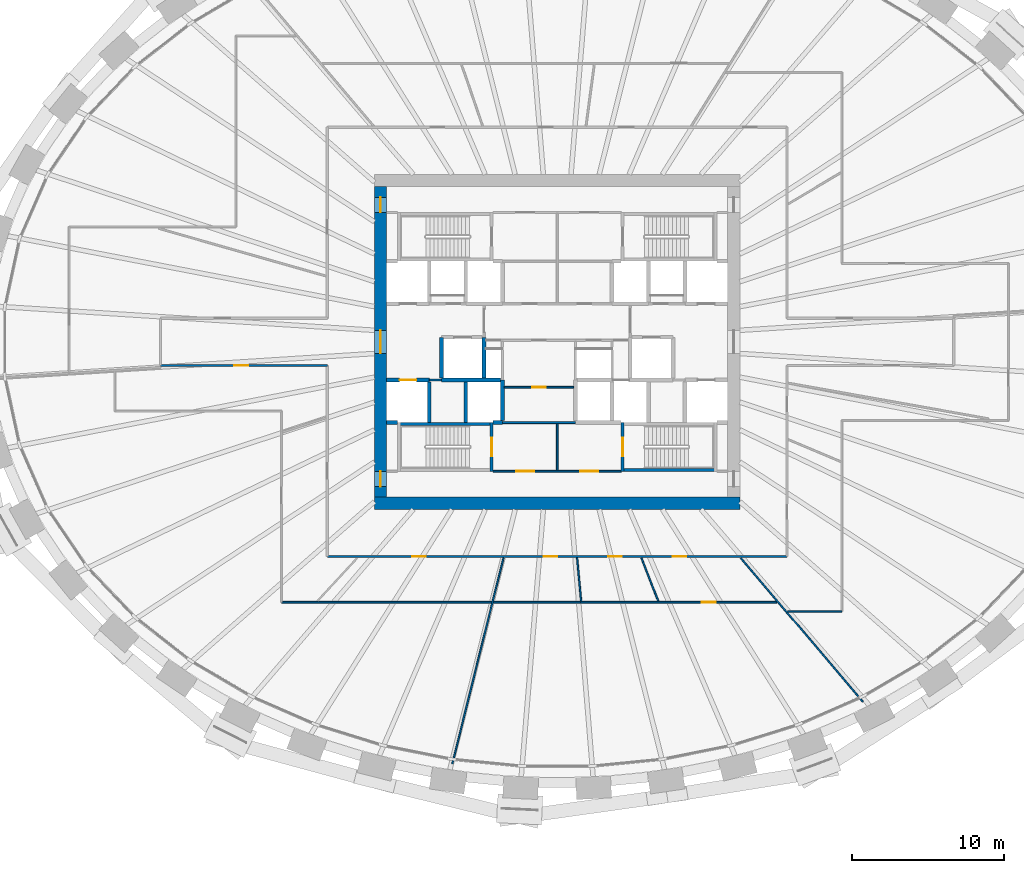
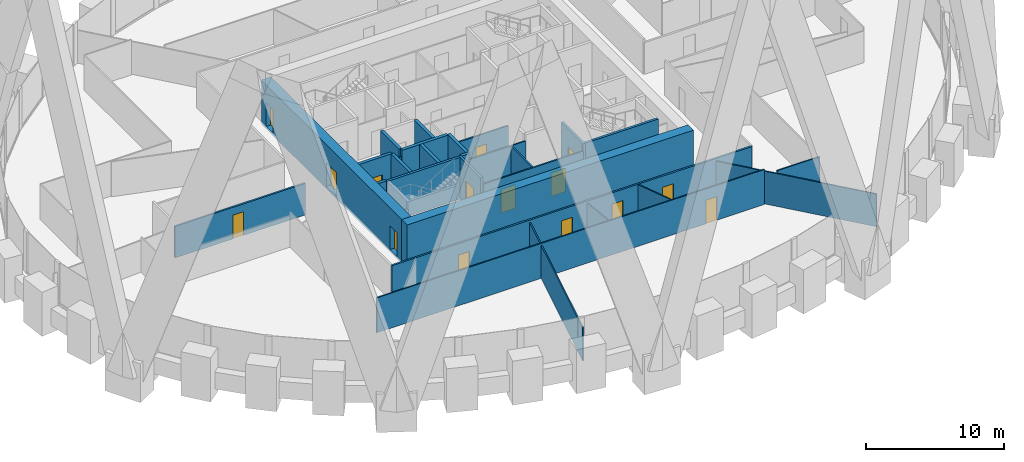
# One storey, part 7 of 12: 28 walls, 15 doors, 15 openings.
"""IFC4 building model written with IfcOpenShell, lengths in metres."""

from ifc_helpers import new_model, si_unit, direction, frame, frame_2d, origin, place, context, subcontext, project, spatial, rectangle, extrude, source, transform, mapped, material, layer, layer_set, type_object, element, fill, save


model = new_model("IFC4")

# Units and contexts
model_context = context("Model", 3, precision=1e-05, world=origin(), true_north=direction((0.0, 1.0)))
body_context = subcontext(model_context, "Body", "Model", "MODEL_VIEW")
ifc_project = project(units=[si_unit("LENGTHUNIT", "METRE"), si_unit("AREAUNIT", "SQUARE_METRE"), si_unit("VOLUMEUNIT", "CUBIC_METRE"), si_unit("PLANEANGLEUNIT", "RADIAN"), si_unit("MASSUNIT", "GRAM", prefix="KILO")], contexts=[model_context])

# Site, building, storey
site_placement = place(None, origin())
site = spatial("IfcSite", under=ifc_project, at=site_placement, CompositionType="ELEMENT")
building_placement = place(site_placement, origin())
building = spatial("IfcBuilding", under=site, at=building_placement, Name="Embergate Tower", CompositionType="ELEMENT")
storey_placement = place(building_placement, frame((0.0, 0.0, 159.89990234375)))
storey = spatial("IfcBuildingStorey", under=building, at=storey_placement, Name="L35", CompositionType="ELEMENT", Elevation=159.89990234375)

# Wall
ifc_material_1 = material(Name="Concrete C70", Category="concrete")
ifc_layer_1 = layer(ifc_material_1, 0.800048828125)
ifc_layer_set_1 = layer_set([ifc_layer_1], Name="Concrete C70")
wall_type_1 = type_object("IfcWallType", Name="Core outer wall C70 800", PredefinedType="SHEAR", material=ifc_layer_set_1)
shared_shape_1 = source(origin(), body_context, "Body", "SweptSolid", [
    extrude(rectangle(XDim=24.0, YDim=0.800048828125, at=frame_2d((12.0, 0.0))), origin(), (0.0, 0.0, 1.0), 3.900146484375),
])
wall_1_placement = place(storey_placement, frame((-12.0, -10.60009765625, -0.199951171875), z_axis=(0.0, 0.0, 1.0), x_axis=(1.0, 0.0, 0.0)))
element("IfcWall", 1, at=wall_1_placement, inside=storey, type_object=wall_type_1, Name="CW-L35-S", PredefinedType="SHEAR", context=body_context, shape_type="MappedRepresentation", body=[
    mapped(shared_shape_1, transform((0.0, 0.0, 0.0))),
])

# Wall, openings, doors
shared_shape_2 = source(origin(), body_context, "Body", "SweptSolid", [
    extrude(rectangle(XDim=20.39990234375, YDim=0.800048828125, at=frame_2d((10.199951171875, 0.0))), origin(), (0.0, 0.0, 1.0), 3.900146484375),
])
wall_2_placement = place(storey_placement, frame((-11.60009765625, -10.199951171875, -0.199951171875), z_axis=(0.0, 0.0, 1.0), x_axis=(0.0, 1.0, 0.0)))
wall_2 = element("IfcWall", 2, at=wall_2_placement, inside=storey, type_object=wall_type_1, Name="CW-L35-W", PredefinedType="SHEAR", context=body_context, shape_type="MappedRepresentation", body=[
    mapped(shared_shape_2, transform((0.0, 0.0, 0.0))),
])
shared_shape_3 = source(origin(), body_context, "Body", "SweptSolid", [
    extrude(rectangle(XDim=1.0, YDim=2.10009765625, at=frame_2d((0.5, 1.050048828125))), frame((0.0, 0.409912109375, 0.0), z_axis=(0.0, -1.0, 0.0), x_axis=(1.0, 0.0, 0.0)), (0.0, 0.0, 1.0), 0.820068359375),
])
opening_1_placement = place(wall_2_placement, frame((18.699951171875, 0.0, 0.199951171875)))
opening_1 = element("IfcOpeningElement", 3, at=opening_1_placement, cuts=wall_2, Name="Opening IF-1d", PredefinedType="OPENING", context=body_context, shape_type="MappedRepresentation", body=[
    mapped(shared_shape_3, transform((0.0, 0.0, 0.0))),
])
opening_2_placement = place(wall_2_placement, frame((0.699951171875, 0.0, 0.199951171875)))
opening_2 = element("IfcOpeningElement", 4, at=opening_2_placement, cuts=wall_2, Name="Opening IF-1d", PredefinedType="OPENING", context=body_context, shape_type="MappedRepresentation", body=[
    mapped(shared_shape_3, transform((0.0, 0.0, 0.0))),
])
shared_shape_4 = source(origin(), body_context, "Body", "SweptSolid", [
    extrude(rectangle(XDim=1.5, YDim=2.10009765625, at=frame_2d((0.75, 1.050048828125))), frame((0.0, 0.409912109375, 0.0), z_axis=(0.0, -1.0, 0.0), x_axis=(1.0, 0.0, 0.0)), (0.0, 0.0, 1.0), 0.820068359375),
])
opening_3_placement = place(wall_2_placement, frame((9.449951171875, 0.0, 0.199951171875)))
opening_3 = element("IfcOpeningElement", 5, at=opening_3_placement, cuts=wall_2, Name="Opening IF-3", PredefinedType="OPENING", context=body_context, shape_type="MappedRepresentation", body=[
    mapped(shared_shape_4, transform((0.0, 0.0, 0.0))),
])
ifc_material_2 = material(Name="Lobby fire door pair 1500")
door_type_1 = type_object("IfcDoorType", Name="Lobby fire door pair 1500", OperationType="DOUBLE_DOOR_SINGLE_SWING", PredefinedType="DOOR", material=ifc_material_2)
shared_shape_5 = source(origin(), body_context, "Body", "SweptSolid", [
    extrude(rectangle(XDim=1.5, YDim=2.10009765625, at=frame_2d((0.75, 1.050048828125))), frame((0.0, 0.02490234375, 0.0), z_axis=(0.0, -1.0, 0.0), x_axis=(1.0, 0.0, 0.0)), (0.0, 0.0, 1.0), 0.050048828125),
])
door_1_placement = place(opening_3_placement, origin())
door_1 = element("IfcDoor", 6, at=door_1_placement, inside=storey, type_object=door_type_1, Name="IF-3 door", OperationType="DOUBLE_DOOR_SINGLE_SWING", OverallHeight=2.10009765625, OverallWidth=1.5, PredefinedType="DOOR", context=body_context, shape_type="MappedRepresentation", body=[
    mapped(shared_shape_5, transform((0.0, 0.0, 0.0))),
])
fill(opening_3, door_1)
ifc_material_3 = material(Name="Escape fire door 1000")
door_type_2 = type_object("IfcDoorType", Name="Escape fire door 1000", OperationType="SINGLE_SWING_LEFT", PredefinedType="DOOR", material=ifc_material_3)
shared_shape_6 = source(origin(), body_context, "Body", "SweptSolid", [
    extrude(rectangle(XDim=1.0, YDim=2.10009765625, at=frame_2d((0.5, 1.050048828125))), frame((0.0, 0.02490234375, 0.0), z_axis=(0.0, -1.0, 0.0), x_axis=(1.0, 0.0, 0.0)), (0.0, 0.0, 1.0), 0.050048828125),
])
door_2_placement = place(opening_1_placement, origin())
door_2 = element("IfcDoor", 7, at=door_2_placement, inside=storey, type_object=door_type_2, Name="IF-1 door", OperationType="SINGLE_SWING_LEFT", OverallHeight=2.10009765625, OverallWidth=1.0, PredefinedType="DOOR", context=body_context, shape_type="MappedRepresentation", body=[
    mapped(shared_shape_6, transform((0.0, 0.0, 0.0))),
])
fill(opening_1, door_2)
door_3_placement = place(opening_2_placement, origin())
door_3 = element("IfcDoor", 8, at=door_3_placement, inside=storey, type_object=door_type_2, Name="IF-1 door", OperationType="SINGLE_SWING_LEFT", OverallHeight=2.10009765625, OverallWidth=1.0, PredefinedType="DOOR", context=body_context, shape_type="MappedRepresentation", body=[
    mapped(shared_shape_6, transform((0.0, 0.0, 0.0))),
])
fill(opening_2, door_3)

ifc_material_4 = material(Name="Core partition blockwork 120")
ifc_layer_2 = layer(ifc_material_4, 0.1201171875)
ifc_layer_set_2 = layer_set([ifc_layer_2], Name="Core partition blockwork 120")
wall_type_2 = type_object("IfcWallType", Name="Core partition blockwork 120", PredefinedType="PARTITIONING", material=ifc_layer_set_2)
shared_shape_7 = source(origin(), body_context, "Body", "SweptSolid", [
    extrude(rectangle(XDim=8.39990234375, YDim=0.1201171875, at=frame_2d((4.199951171875, 0.0))), origin(), (0.0, 0.0, 1.0), 3.10009765625),
])
wall_3_placement = place(storey_placement, frame((-4.199951171875, -8.5, 0.0), z_axis=(0.0, 0.0, 1.0), x_axis=(1.0, 0.0, 0.0)))
wall_3 = element("IfcWall", 9, at=wall_3_placement, inside=storey, type_object=wall_type_2, Name="IP-3 wall", PredefinedType="PARTITIONING", context=body_context, shape_type="MappedRepresentation", body=[
    mapped(shared_shape_7, transform((0.0, 0.0, 0.0))),
])
shared_shape_8 = source(origin(), body_context, "Body", "SweptSolid", [
    extrude(rectangle(XDim=1.199951171875, YDim=2.10009765625, at=frame_2d((0.60009765625, 1.050048828125))), frame((0.0, 0.070068359375, 0.0), z_axis=(0.0, -1.0, 0.0), x_axis=(1.0, 0.0, 0.0)), (0.0, 0.0, 1.0), 0.14013671875),
])
opening_4_placement = place(wall_3_placement, frame((1.5, 0.0, 0.0)))
opening_4 = element("IfcOpeningElement", 10, at=opening_4_placement, cuts=wall_3, Name="Opening IF-3f", PredefinedType="OPENING", context=body_context, shape_type="MappedRepresentation", body=[
    mapped(shared_shape_8, transform((0.0, 0.0, 0.0))),
])
opening_5_placement = place(wall_3_placement, frame((5.699951171875, 0.0, 0.0)))
opening_5 = element("IfcOpeningElement", 11, at=opening_5_placement, cuts=wall_3, Name="Opening IF-3f", PredefinedType="OPENING", context=body_context, shape_type="MappedRepresentation", body=[
    mapped(shared_shape_8, transform((0.0, 0.0, 0.0))),
])
ifc_material_5 = material(Name="Lobby fire door pair 1200")
door_type_3 = type_object("IfcDoorType", Name="Lobby fire door pair 1200", OperationType="DOUBLE_DOOR_SINGLE_SWING", PredefinedType="DOOR", material=ifc_material_5)
shared_shape_9 = source(origin(), body_context, "Body", "SweptSolid", [
    extrude(rectangle(XDim=1.199951171875, YDim=2.10009765625, at=frame_2d((0.60009765625, 1.050048828125))), frame((0.0, 0.02490234375, 0.0), z_axis=(0.0, -1.0, 0.0), x_axis=(1.0, 0.0, 0.0)), (0.0, 0.0, 1.0), 0.050048828125),
])
door_4_placement = place(opening_4_placement, origin())
door_4 = element("IfcDoor", 12, at=door_4_placement, inside=storey, type_object=door_type_3, Name="IF-3 door", OperationType="DOUBLE_DOOR_SINGLE_SWING", OverallHeight=2.10009765625, OverallWidth=1.199951171875, PredefinedType="DOOR", context=body_context, shape_type="MappedRepresentation", body=[
    mapped(shared_shape_9, transform((0.0, 0.0, 0.0))),
])
fill(opening_4, door_4)
door_5_placement = place(opening_5_placement, origin())
door_5 = element("IfcDoor", 13, at=door_5_placement, inside=storey, type_object=door_type_3, Name="IF-3 door", OperationType="DOUBLE_DOOR_SINGLE_SWING", OverallHeight=2.10009765625, OverallWidth=1.199951171875, PredefinedType="DOOR", context=body_context, shape_type="MappedRepresentation", body=[
    mapped(shared_shape_9, transform((0.0, 0.0, 0.0))),
])
fill(opening_5, door_5)

# Walls
ifc_material_6 = material(Name="Concrete C50", Category="concrete")
ifc_layer_3 = layer(ifc_material_6, 0.25)
ifc_layer_set_3 = layer_set([ifc_layer_3], Name="Concrete C50")
wall_type_3 = type_object("IfcWallType", Name="Hoistway wall reinforced concrete 250", PredefinedType="SHEAR", material=ifc_layer_set_3)
shared_shape_10 = source(origin(), body_context, "Body", "SweptSolid", [
    extrude(rectangle(XDim=2.675048828125, YDim=0.25, at=frame_2d((1.33740234375, 0.0))), origin(), (0.0, 0.0, 1.0), 3.7001953125),
])
for number, where, z_axis, x_axis, name in (
    (14, (-3.60009765625, -5.175048828125, 0.0), (0.0, 0.0, 1.0), (0.0, 1.0, 0.0), "HW-1 wall"),
    (15, (-4.800048828125, 0.300048828125, 0.0), (0.0, 0.0, 1.0), (0.0, -1.0, 0.0), "HW-1 wall"),
    (16, (-7.60009765625, 0.300048828125, 0.0), (0.0, 0.0, 1.0), (0.0, -1.0, 0.0), "HW-1 wall"),
):
    element("IfcWall", number, at=place(storey_placement, frame(where, z_axis=z_axis, x_axis=x_axis)), inside=storey, type_object=wall_type_3, Name=name, PredefinedType="SHEAR", context=body_context, shape_type="MappedRepresentation", body=[
        mapped(shared_shape_10, transform((0.0, 0.0, 0.0))),
    ])
ifc_layer_4 = layer(ifc_material_6, 0.199951171875)
ifc_layer_set_4 = layer_set([ifc_layer_4], Name="Concrete C50")
wall_type_4 = type_object("IfcWallType", Name="Stair enclosure wall reinforced concrete 250", PredefinedType="SHEAR", material=ifc_layer_set_4)
shared_shape_11 = source(origin(), body_context, "Body", "SweptSolid", [
    extrude(rectangle(XDim=6.300048828125, YDim=0.199951171875, at=frame_2d((3.14990234375, 0.0))), origin(), (0.0, 0.0, 1.0), 3.7001953125),
])
for number, where, z_axis, x_axis, name in (
    (17, (-10.5, -5.39990234375, 0.0), (0.0, 0.0, 1.0), (1.0, 0.0, 0.0), "SE-1 wall"),
    (18, (4.199951171875, -8.39990234375, 0.0), (0.0, 0.0, 1.0), (1.0, 0.0, 0.0), "SE-1 wall"),
):
    element("IfcWall", number, at=place(storey_placement, frame(where, z_axis=z_axis, x_axis=x_axis)), inside=storey, type_object=wall_type_4, Name=name, PredefinedType="SHEAR", context=body_context, shape_type="MappedRepresentation", body=[
        mapped(shared_shape_11, transform((0.0, 0.0, 0.0))),
    ])

# Wall, opening, door
shared_shape_12 = source(origin(), body_context, "Body", "SweptSolid", [
    extrude(rectangle(XDim=3.199951171875, YDim=0.199951171875, at=frame_2d((1.60009765625, 0.0))), origin(), (0.0, 0.0, 1.0), 3.7001953125),
])
wall_4_placement = place(storey_placement, frame((-4.300048828125, -8.5, 0.0), z_axis=(0.0, 0.0, 1.0), x_axis=(0.0, 1.0, 0.0)))
wall_4 = element("IfcWall", 19, at=wall_4_placement, inside=storey, type_object=wall_type_4, Name="SE-1 wall", PredefinedType="SHEAR", context=body_context, shape_type="MappedRepresentation", body=[
    mapped(shared_shape_12, transform((0.0, 0.0, 0.0))),
])
shared_shape_13 = source(origin(), body_context, "Body", "SweptSolid", [
    extrude(rectangle(XDim=1.199951171875, YDim=2.10009765625, at=frame_2d((0.60009765625, 1.050048828125))), frame((0.0, 0.10986328125, 0.0), z_axis=(0.0, -1.0, 0.0), x_axis=(1.0, 0.0, 0.0)), (0.0, 0.0, 1.0), 0.219970703125),
])
opening_6_placement = place(wall_4_placement, frame((1.0, 0.0, 0.0)))
opening_6 = element("IfcOpeningElement", 20, at=opening_6_placement, cuts=wall_4, Name="Opening IF-2", PredefinedType="OPENING", context=body_context, shape_type="MappedRepresentation", body=[
    mapped(shared_shape_13, transform((0.0, 0.0, 0.0))),
])
ifc_material_7 = material(Name="Stair enclosure door 1200")
door_type_4 = type_object("IfcDoorType", Name="Stair enclosure door 1200", OperationType="SINGLE_SWING_LEFT", PredefinedType="DOOR", material=ifc_material_7)
door_6_placement = place(opening_6_placement, origin())
door_6 = element("IfcDoor", 21, at=door_6_placement, inside=storey, type_object=door_type_4, Name="IF-2 door", OperationType="SINGLE_SWING_RIGHT", OverallHeight=2.10009765625, OverallWidth=1.199951171875, PredefinedType="DOOR", context=body_context, shape_type="MappedRepresentation", body=[
    mapped(shared_shape_9, transform((0.0, 0.0, 0.0))),
])
fill(opening_6, door_6)

wall_5_placement = place(storey_placement, frame((4.300048828125, -5.300048828125, 0.0), z_axis=(0.0, 0.0, 1.0), x_axis=(0.0, -1.0, 0.0)))
wall_5 = element("IfcWall", 22, at=wall_5_placement, inside=storey, type_object=wall_type_4, Name="SE-1 wall", PredefinedType="SHEAR", context=body_context, shape_type="MappedRepresentation", body=[
    mapped(shared_shape_12, transform((0.0, 0.0, 0.0))),
])
opening_7_placement = place(wall_5_placement, frame((1.0, 0.0, 0.0)))
opening_7 = element("IfcOpeningElement", 23, at=opening_7_placement, cuts=wall_5, Name="Opening IF-2", PredefinedType="OPENING", context=body_context, shape_type="MappedRepresentation", body=[
    mapped(shared_shape_13, transform((0.0, 0.0, 0.0))),
])
door_7_placement = place(opening_7_placement, origin())
door_7 = element("IfcDoor", 24, at=door_7_placement, inside=storey, type_object=door_type_4, Name="IF-2 door", OperationType="SINGLE_SWING_RIGHT", OverallHeight=2.10009765625, OverallWidth=1.199951171875, PredefinedType="DOOR", context=body_context, shape_type="MappedRepresentation", body=[
    mapped(shared_shape_9, transform((0.0, 0.0, 0.0))),
])
fill(opening_7, door_7)

ifc_material_8 = material(Name="Corridor wall dry-lined 150")
ifc_layer_5 = layer(ifc_material_8, 0.14990234375)
ifc_layer_set_5 = layer_set([ifc_layer_5], Name="Corridor wall dry-lined 150")
wall_type_5 = type_object("IfcWallType", Name="Corridor wall dry-lined 150", PredefinedType="PARTITIONING", material=ifc_layer_set_5)
shared_shape_14 = source(origin(), body_context, "Body", "SweptSolid", [
    extrude(rectangle(XDim=10.949951171875, YDim=0.14990234375, at=frame_2d((5.47509765625, 0.0))), origin(), (0.0, 0.0, 1.0), 2.800048828125),
])
wall_6_placement = place(storey_placement, frame((-26.050048828125, -1.550048828125, 0.0), z_axis=(0.0, 0.0, 1.0), x_axis=(1.0, 0.0, 0.0)))
wall_6 = element("IfcWall", 25, at=wall_6_placement, inside=storey, type_object=wall_type_5, Name="IP-2 wall", PredefinedType="PARTITIONING", context=body_context, shape_type="MappedRepresentation", body=[
    mapped(shared_shape_14, transform((0.0, 0.0, 0.0))),
])
shared_shape_15 = source(origin(), body_context, "Body", "SweptSolid", [
    extrude(rectangle(XDim=0.89990234375, YDim=2.10009765625, at=frame_2d((0.449951171875, 1.050048828125))), frame((0.0, 0.0849609375, 0.0), z_axis=(0.0, -1.0, 0.0), x_axis=(1.0, 0.0, 0.0)), (0.0, 0.0, 1.0), 0.169921875),
])
opening_8_placement = place(wall_6_placement, frame((4.843017578125, 0.0, 0.0)))
opening_8 = element("IfcOpeningElement", 26, at=opening_8_placement, cuts=wall_6, Name="Opening IF-1c", PredefinedType="OPENING", context=body_context, shape_type="MappedRepresentation", body=[
    mapped(shared_shape_15, transform((0.0, 0.0, 0.0))),
])
ifc_material_9 = material(Name="Escape fire door 900")
door_type_5 = type_object("IfcDoorType", Name="Escape fire door 900", OperationType="SINGLE_SWING_LEFT", PredefinedType="DOOR", material=ifc_material_9)
shared_shape_16 = source(origin(), body_context, "Body", "SweptSolid", [
    extrude(rectangle(XDim=0.89990234375, YDim=2.10009765625, at=frame_2d((0.449951171875, 1.050048828125))), frame((0.0, 0.02490234375, 0.0), z_axis=(0.0, -1.0, 0.0), x_axis=(1.0, 0.0, 0.0)), (0.0, 0.0, 1.0), 0.050048828125),
])
door_8_placement = place(opening_8_placement, origin())
door_8 = element("IfcDoor", 27, at=door_8_placement, inside=storey, type_object=door_type_5, Name="IF-1 door", OperationType="SINGLE_SWING_RIGHT", OverallHeight=2.10009765625, OverallWidth=0.89990234375, PredefinedType="DOOR", context=body_context, shape_type="MappedRepresentation", body=[
    mapped(shared_shape_16, transform((0.0, 0.0, 0.0))),
])
fill(opening_8, door_8)

# Walls
shared_shape_17 = source(origin(), body_context, "Body", "SweptSolid", [
    extrude(rectangle(XDim=3.079833984375, YDim=0.1201171875, at=frame_2d((1.5400390625, 0.0))), origin(), (0.0, 0.0, 1.0), 3.10009765625),
])
wall_7_placement = place(storey_placement, frame((0.0, -8.43994140625, 0.0), z_axis=(0.0, 0.0, 1.0), x_axis=(0.0, 1.0, 0.0)))
element("IfcWall", 28, at=wall_7_placement, inside=storey, type_object=wall_type_2, Name="IP-3 wall", PredefinedType="PARTITIONING", context=body_context, shape_type="MappedRepresentation", body=[
    mapped(shared_shape_17, transform((0.0, 0.0, 0.0))),
])
shared_shape_18 = source(origin(), body_context, "Body", "SweptSolid", [
    extrude(rectangle(XDim=4.800048828125, YDim=0.1201171875, at=frame_2d((2.39990234375, 0.0))), origin(), (0.0, 0.0, 1.0), 3.10009765625),
])
wall_8_placement = place(storey_placement, frame((1.199951171875, -5.300048828125, 0.0), z_axis=(0.0, 0.0, 1.0), x_axis=(-1.0, 0.0, 0.0)))
element("IfcWall", 29, at=wall_8_placement, inside=storey, type_object=wall_type_2, Name="IP-3 wall", PredefinedType="PARTITIONING", context=body_context, shape_type="MappedRepresentation", body=[
    mapped(shared_shape_18, transform((0.0, 0.0, 0.0))),
])

# Wall, opening, door
shared_shape_19 = source(origin(), body_context, "Body", "SweptSolid", [
    extrude(rectangle(XDim=4.550048828125, YDim=0.1201171875, at=frame_2d((2.27490234375, 0.0))), origin(), (0.0, 0.0, 1.0), 3.10009765625),
])
wall_9_placement = place(storey_placement, frame((1.074951171875, -2.97802734375, 0.0), z_axis=(0.0, 0.0, 1.0), x_axis=(-1.0, 0.0, 0.0)))
wall_9 = element("IfcWall", 30, at=wall_9_placement, inside=storey, type_object=wall_type_2, Name="IP-3 wall", PredefinedType="PARTITIONING", context=body_context, shape_type="MappedRepresentation", body=[
    mapped(shared_shape_19, transform((0.0, 0.0, 0.0))),
])
shared_shape_20 = source(origin(), body_context, "Body", "SweptSolid", [
    extrude(rectangle(XDim=0.89990234375, YDim=2.10009765625, at=frame_2d((0.449951171875, 1.050048828125))), frame((0.0, 0.070068359375, 0.0), z_axis=(0.0, -1.0, 0.0), x_axis=(1.0, 0.0, 0.0)), (0.0, 0.0, 1.0), 0.14013671875),
])
opening_9_placement = place(wall_9_placement, frame((1.824951171875, 0.0, 0.0)))
opening_9 = element("IfcOpeningElement", 31, at=opening_9_placement, cuts=wall_9, Name="Opening ID-1", PredefinedType="OPENING", context=body_context, shape_type="MappedRepresentation", body=[
    mapped(shared_shape_20, transform((0.0, 0.0, 0.0))),
])
ifc_material_10 = material(Name="Interior door 900")
door_type_6 = type_object("IfcDoorType", Name="Interior door 900", OperationType="SINGLE_SWING_LEFT", PredefinedType="DOOR", material=ifc_material_10)
door_9_placement = place(opening_9_placement, origin())
door_9 = element("IfcDoor", 32, at=door_9_placement, inside=storey, type_object=door_type_6, Name="ID-1 door", OperationType="SINGLE_SWING_RIGHT", OverallHeight=2.10009765625, OverallWidth=0.89990234375, PredefinedType="DOOR", context=body_context, shape_type="MappedRepresentation", body=[
    mapped(shared_shape_16, transform((0.0, 0.0, 0.0))),
])
fill(opening_9, door_9)

# Wall
shared_shape_21 = source(origin(), body_context, "Body", "SweptSolid", [
    extrude(rectangle(XDim=0.7958984375, YDim=0.1201171875, at=frame_2d((0.39794921875, 0.0))), origin(), (0.0, 0.0, 1.0), 3.10009765625),
])
wall_10_placement = place(storey_placement, frame((-8.39794921875, -2.5, 0.0), z_axis=(0.0, 0.0, 1.0), x_axis=(1.0, 0.0, 0.0)))
element("IfcWall", 33, at=wall_10_placement, inside=storey, type_object=wall_type_2, Name="IP-3 wall", PredefinedType="PARTITIONING", context=body_context, shape_type="MappedRepresentation", body=[
    mapped(shared_shape_21, transform((0.0, 0.0, 0.0))),
])

# Wall, opening, door
shared_shape_22 = source(origin(), body_context, "Body", "SweptSolid", [
    extrude(rectangle(XDim=2.800048828125, YDim=0.25, at=frame_2d((1.39990234375, 0.0))), origin(), (0.0, 0.0, 1.0), 3.7001953125),
])
wall_11_placement = place(storey_placement, frame((-8.39990234375, -2.5, 0.0), z_axis=(0.0, 0.0, 1.0), x_axis=(-1.0, 0.0, 0.0)))
wall_11 = element("IfcWall", 34, at=wall_11_placement, inside=storey, type_object=wall_type_3, Name="HW-1 wall", PredefinedType="SHEAR", context=body_context, shape_type="MappedRepresentation", body=[
    mapped(shared_shape_22, transform((0.0, 0.0, 0.0))),
])
shared_shape_23 = source(origin(), body_context, "Body", "SweptSolid", [
    extrude(rectangle(XDim=1.10009765625, YDim=2.10009765625, at=frame_2d((0.550048828125, 1.050048828125))), frame((0.0, 0.135009765625, 0.0), z_axis=(0.0, -1.0, 0.0), x_axis=(1.0, 0.0, 0.0)), (0.0, 0.0, 1.0), 0.27001953125),
])
opening_10_placement = place(wall_11_placement, frame((0.85009765625, 0.0, 0.0)))
opening_10 = element("IfcOpeningElement", 35, at=opening_10_placement, cuts=wall_11, Name="Opening LD", PredefinedType="OPENING", context=body_context, shape_type="MappedRepresentation", body=[
    mapped(shared_shape_23, transform((0.0, 0.0, 0.0))),
])
ifc_material_11 = material(Name="Landing door sliding 1100")
door_type_7 = type_object("IfcDoorType", Name="Landing door sliding 1100", OperationType="SLIDING_TO_LEFT", PredefinedType="DOOR", material=ifc_material_11)
shared_shape_24 = source(origin(), body_context, "Body", "SweptSolid", [
    extrude(rectangle(XDim=1.10009765625, YDim=2.10009765625, at=frame_2d((0.550048828125, 1.050048828125))), frame((0.0, 0.02490234375, 0.0), z_axis=(0.0, -1.0, 0.0), x_axis=(1.0, 0.0, 0.0)), (0.0, 0.0, 1.0), 0.050048828125),
])
door_10_placement = place(opening_10_placement, origin())
door_10 = element("IfcDoor", 36, at=door_10_placement, inside=storey, type_object=door_type_7, Name="LD door", OperationType="SLIDING_TO_LEFT", OverallHeight=2.10009765625, OverallWidth=1.10009765625, PredefinedType="DOOR", context=body_context, shape_type="MappedRepresentation", body=[
    mapped(shared_shape_24, transform((0.0, 0.0, 0.0))),
])
fill(opening_10, door_10)

# Walls
shared_shape_25 = source(origin(), body_context, "Body", "SweptSolid", [
    extrude(rectangle(XDim=0.599853515625, YDim=0.25, at=frame_2d((0.2998046875, 0.0))), origin(), (0.0, 0.0, 1.0), 3.7001953125),
])
wall_12_placement = place(storey_placement, frame((-4.199951171875, -5.300048828125, 0.0), z_axis=(0.0, 0.0, 1.0), x_axis=(1.0, 0.0, 0.0)))
element("IfcWall", 37, at=wall_12_placement, inside=storey, type_object=wall_type_3, Name="HW-1 wall", PredefinedType="SHEAR", context=body_context, shape_type="MappedRepresentation", body=[
    mapped(shared_shape_25, transform((0.0, 0.0, 0.0))),
])
shared_shape_26 = source(origin(), body_context, "Body", "SweptSolid", [
    extrude(rectangle(XDim=3.872802734375, YDim=0.25, at=frame_2d((1.9365234375, 0.0))), origin(), (0.0, 0.0, 1.0), 3.7001953125),
])
wall_13_placement = place(storey_placement, frame((-3.72509765625, -2.5, 0.0), z_axis=(0.0, 0.0, 1.0), x_axis=(-1.0, 0.0, 0.0)))
element("IfcWall", 38, at=wall_13_placement, inside=storey, type_object=wall_type_3, Name="HW-1 wall", PredefinedType="SHEAR", context=body_context, shape_type="MappedRepresentation", body=[
    mapped(shared_shape_26, transform((0.0, 0.0, 0.0))),
])
shared_shape_27 = source(origin(), body_context, "Body", "SweptSolid", [
    extrude(rectangle(XDim=0.697998046875, YDim=0.25, at=frame_2d((0.34912109375, 0.0))), origin(), (0.0, 0.0, 1.0), 3.7001953125),
])
wall_14_placement = place(storey_placement, frame((-11.199951171875, -5.300048828125, 0.0), z_axis=(0.0, 0.0, 1.0), x_axis=(1.0, 0.0, 0.0)))
element("IfcWall", 39, at=wall_14_placement, inside=storey, type_object=wall_type_3, Name="HW-1 wall", PredefinedType="SHEAR", context=body_context, shape_type="MappedRepresentation", body=[
    mapped(shared_shape_27, transform((0.0, 0.0, 0.0))),
])
shared_shape_28 = source(origin(), body_context, "Body", "SweptSolid", [
    extrude(rectangle(XDim=2.671142578125, YDim=0.25, at=frame_2d((1.33544921875, 0.0))), origin(), (0.0, 0.0, 1.0), 3.7001953125),
])
for number, where, z_axis, x_axis, name in (
    (40, (-8.39990234375, -5.298095703125, 0.0), (0.0, 0.0, 1.0), (0.0, 1.0, 0.0), "HW-1 wall"),
    (41, (-6.0, -2.626953125, 0.0), (0.0, 0.0, 1.0), (0.0, -1.0, 0.0), "HW-1 wall"),
):
    element("IfcWall", number, at=place(storey_placement, frame(where, z_axis=z_axis, x_axis=x_axis)), inside=storey, type_object=wall_type_3, Name=name, PredefinedType="SHEAR", context=body_context, shape_type="MappedRepresentation", body=[
        mapped(shared_shape_28, transform((0.0, 0.0, 0.0))),
    ])

# Wall, openings, doors
shared_shape_29 = source(origin(), body_context, "Body", "SweptSolid", [
    extrude(rectangle(XDim=30.2001953125, YDim=0.14990234375, at=frame_2d((15.10009765625, 0.0))), origin(), (0.0, 0.0, 1.0), 3.10009765625),
])
wall_15_placement = place(storey_placement, frame((15.10009765625, -14.10009765625, 0.0), z_axis=(0.0, 0.0, 1.0), x_axis=(-1.0, 0.0, 0.0)))
wall_15 = element("IfcWall", 42, at=wall_15_placement, inside=storey, type_object=wall_type_5, Name="IP-2 wall", PredefinedType="PARTITIONING", context=body_context, shape_type="MappedRepresentation", body=[
    mapped(shared_shape_29, transform((0.0, 0.0, 0.0))),
])
opening_11_placement = place(wall_15_placement, frame((23.72900390625, 0.0, 0.0)))
opening_11 = element("IfcOpeningElement", 43, at=opening_11_placement, cuts=wall_15, Name="Opening IF-1c", PredefinedType="OPENING", context=body_context, shape_type="MappedRepresentation", body=[
    mapped(shared_shape_15, transform((0.0, 0.0, 0.0))),
])
opening_12_placement = place(wall_15_placement, frame((15.089111328125, 0.0, 0.0)))
opening_12 = element("IfcOpeningElement", 44, at=opening_12_placement, cuts=wall_15, Name="Opening IF-1c", PredefinedType="OPENING", context=body_context, shape_type="MappedRepresentation", body=[
    mapped(shared_shape_15, transform((0.0, 0.0, 0.0))),
])
opening_13_placement = place(wall_15_placement, frame((10.844970703125, 0.0, 0.0)))
opening_13 = element("IfcOpeningElement", 45, at=opening_13_placement, cuts=wall_15, Name="Opening IF-1c", PredefinedType="OPENING", context=body_context, shape_type="MappedRepresentation", body=[
    mapped(shared_shape_15, transform((0.0, 0.0, 0.0))),
])
opening_14_placement = place(wall_15_placement, frame((6.60888671875, 0.0, 0.0)))
opening_14 = element("IfcOpeningElement", 46, at=opening_14_placement, cuts=wall_15, Name="Opening IF-1c", PredefinedType="OPENING", context=body_context, shape_type="MappedRepresentation", body=[
    mapped(shared_shape_15, transform((0.0, 0.0, 0.0))),
])
door_11_placement = place(opening_11_placement, origin())
door_11 = element("IfcDoor", 47, at=door_11_placement, inside=storey, type_object=door_type_5, Name="IF-1 door", OperationType="SINGLE_SWING_LEFT", OverallHeight=2.10009765625, OverallWidth=0.89990234375, PredefinedType="DOOR", context=body_context, shape_type="MappedRepresentation", body=[
    mapped(shared_shape_16, transform((0.0, 0.0, 0.0))),
])
fill(opening_11, door_11)
door_12_placement = place(opening_12_placement, origin())
door_12 = element("IfcDoor", 48, at=door_12_placement, inside=storey, type_object=door_type_5, Name="IF-1 door", OperationType="SINGLE_SWING_RIGHT", OverallHeight=2.10009765625, OverallWidth=0.89990234375, PredefinedType="DOOR", context=body_context, shape_type="MappedRepresentation", body=[
    mapped(shared_shape_16, transform((0.0, 0.0, 0.0))),
])
fill(opening_12, door_12)
door_13_placement = place(opening_13_placement, origin())
door_13 = element("IfcDoor", 49, at=door_13_placement, inside=storey, type_object=door_type_5, Name="IF-1 door", OperationType="SINGLE_SWING_RIGHT", OverallHeight=2.10009765625, OverallWidth=0.89990234375, PredefinedType="DOOR", context=body_context, shape_type="MappedRepresentation", body=[
    mapped(shared_shape_16, transform((0.0, 0.0, 0.0))),
])
fill(opening_13, door_13)
door_14_placement = place(opening_14_placement, origin())
door_14 = element("IfcDoor", 50, at=door_14_placement, inside=storey, type_object=door_type_5, Name="IF-1 door", OperationType="SINGLE_SWING_RIGHT", OverallHeight=2.10009765625, OverallWidth=0.89990234375, PredefinedType="DOOR", context=body_context, shape_type="MappedRepresentation", body=[
    mapped(shared_shape_16, transform((0.0, 0.0, 0.0))),
])
fill(opening_14, door_14)

# Wall, opening, door
ifc_material_12 = material(Name="Partition dry-lined 100")
ifc_layer_6 = layer(ifc_material_12, 0.10009765625)
ifc_layer_set_6 = layer_set([ifc_layer_6], Name="Partition dry-lined 100")
wall_type_6 = type_object("IfcWallType", Name="Partition dry-lined 100", PredefinedType="PARTITIONING", material=ifc_layer_set_6)
shared_shape_30 = source(origin(), body_context, "Body", "SweptSolid", [
    extrude(rectangle(XDim=32.51806640625, YDim=0.10009765625, at=frame_2d((16.259033203125, 0.0))), origin(), (0.0, 0.0, 1.0), 3.10009765625),
])
wall_16_placement = place(storey_placement, frame((14.41796875, -17.10009765625, 0.0), z_axis=(0.0, 0.0, 1.0), x_axis=(-1.0, 0.0, 0.0)))
wall_16 = element("IfcWall", 51, at=wall_16_placement, inside=storey, type_object=wall_type_6, Name="IP-1 wall", PredefinedType="PARTITIONING", context=body_context, shape_type="MappedRepresentation", body=[
    mapped(shared_shape_30, transform((0.0, 0.0, 0.0))),
])
shared_shape_31 = source(origin(), body_context, "Body", "SweptSolid", [
    extrude(rectangle(XDim=0.89990234375, YDim=2.10009765625, at=frame_2d((0.449951171875, 1.050048828125))), frame((0.0, 0.06005859375, 0.0), z_axis=(0.0, -1.0, 0.0), x_axis=(1.0, 0.0, 0.0)), (0.0, 0.0, 1.0), 0.1201171875),
])
opening_15_placement = place(wall_16_placement, frame((4.007080078125, 0.0, 0.0)))
opening_15 = element("IfcOpeningElement", 52, at=opening_15_placement, cuts=wall_16, Name="Opening ID-1", PredefinedType="OPENING", context=body_context, shape_type="MappedRepresentation", body=[
    mapped(shared_shape_31, transform((0.0, 0.0, 0.0))),
])
door_15_placement = place(opening_15_placement, origin())
door_15 = element("IfcDoor", 53, at=door_15_placement, inside=storey, type_object=door_type_6, Name="ID-1 door", OperationType="SINGLE_SWING_LEFT", OverallHeight=2.10009765625, OverallWidth=0.89990234375, PredefinedType="DOOR", context=body_context, shape_type="MappedRepresentation", body=[
    mapped(shared_shape_16, transform((0.0, 0.0, 0.0))),
])
fill(opening_15, door_15)

# Walls
ifc_material_13 = material(Name="Partition dry-lined 100 wet")
ifc_layer_7 = layer(ifc_material_13, 0.10009765625)
ifc_layer_set_7 = layer_set([ifc_layer_7], Name="Partition dry-lined 100 wet")
wall_type_7 = type_object("IfcWallType", Name="Partition dry-lined 100 wet", PredefinedType="PLUMBINGWALL", material=ifc_layer_set_7)
shared_shape_32 = source(origin(), body_context, "Body", "SweptSolid", [
    extrude(rectangle(XDim=3.047119140625, YDim=0.10009765625, at=frame_2d((1.5234375, 0.0))), origin(), (0.0, 0.0, 1.0), 3.10009765625),
])
wall_17_placement = place(storey_placement, frame((5.534912109375, -14.193115234375, 0.0), z_axis=(0.0, 0.0, 1.0), x_axis=(0.363350839993, -0.931652385322, 0.0)))
element("IfcWall", 54, at=wall_17_placement, inside=storey, type_object=wall_type_7, Name="IP-1 wall", PredefinedType="PLUMBINGWALL", context=body_context, shape_type="MappedRepresentation", body=[
    mapped(shared_shape_32, transform((0.0, 0.0, 0.0))),
])
shared_shape_33 = source(origin(), body_context, "Body", "SweptSolid", [
    extrude(rectangle(XDim=3.555908203125, YDim=0.10009765625, at=frame_2d((1.77783203125, 0.0))), origin(), (0.0, 0.0, 1.0), 3.10009765625),
])
wall_18_placement = place(storey_placement, frame((18.699951171875, -17.699951171875, 0.0), z_axis=(0.0, 0.0, 1.0), x_axis=(-1.0, 0.0, 0.0)))
element("IfcWall", 55, at=wall_18_placement, inside=storey, type_object=wall_type_6, Name="IP-1 wall", PredefinedType="PARTITIONING", context=body_context, shape_type="MappedRepresentation", body=[
    mapped(shared_shape_33, transform((0.0, 0.0, 0.0))),
])
shared_shape_34 = source(origin(), body_context, "Body", "SweptSolid", [
    extrude(rectangle(XDim=13.936279296875, YDim=0.10009765625, at=frame_2d((6.96826171875, 0.0))), origin(), (0.0, 0.0, 1.0), 2.900146484375),
])
wall_19_placement = place(storey_placement, frame((-3.52490234375, -14.18701171875, 0.0), z_axis=(0.0, 0.0, 1.0), x_axis=(-0.241175138203, -0.970481608642, 0.0)))
element("IfcWall", 56, at=wall_19_placement, inside=storey, type_object=wall_type_7, Name="IP-1 wall", PredefinedType="PLUMBINGWALL", context=body_context, shape_type="MappedRepresentation", body=[
    mapped(shared_shape_34, transform((0.0, 0.0, 0.0))),
])
shared_shape_35 = source(origin(), body_context, "Body", "SweptSolid", [
    extrude(rectangle(XDim=2.88720703125, YDim=0.10009765625, at=frame_2d((1.443603515625, 0.0))), origin(), (0.0, 0.0, 1.0), 2.900146484375),
])
wall_20_placement = place(storey_placement, frame((1.30908203125, -14.175048828125, 0.0), z_axis=(0.0, 0.0, 1.0), x_axis=(0.0920833196, -0.995751305423, 0.0)))
element("IfcWall", 57, at=wall_20_placement, inside=storey, type_object=wall_type_7, Name="IP-1 wall", PredefinedType="PLUMBINGWALL", context=body_context, shape_type="MappedRepresentation", body=[
    mapped(shared_shape_35, transform((0.0, 0.0, 0.0))),
])
shared_shape_36 = source(origin(), body_context, "Body", "SweptSolid", [
    extrude(rectangle(XDim=12.37109375, YDim=0.10009765625, at=frame_2d((6.185546875, 0.0))), origin(), (0.0, 0.0, 1.0), 2.900146484375),
])
wall_21_placement = place(storey_placement, frame((20.077880859375, -23.635986328125, 0.0), z_axis=(0.0, 0.0, 1.0), x_axis=(-0.647375129587, 0.762171530295, 0.0)))
element("IfcWall", 58, at=wall_21_placement, inside=storey, type_object=wall_type_7, Name="IP-1 wall", PredefinedType="PLUMBINGWALL", context=body_context, shape_type="MappedRepresentation", body=[
    mapped(shared_shape_36, transform((0.0, 0.0, 0.0))),
])

save(model, "model.ifc")
